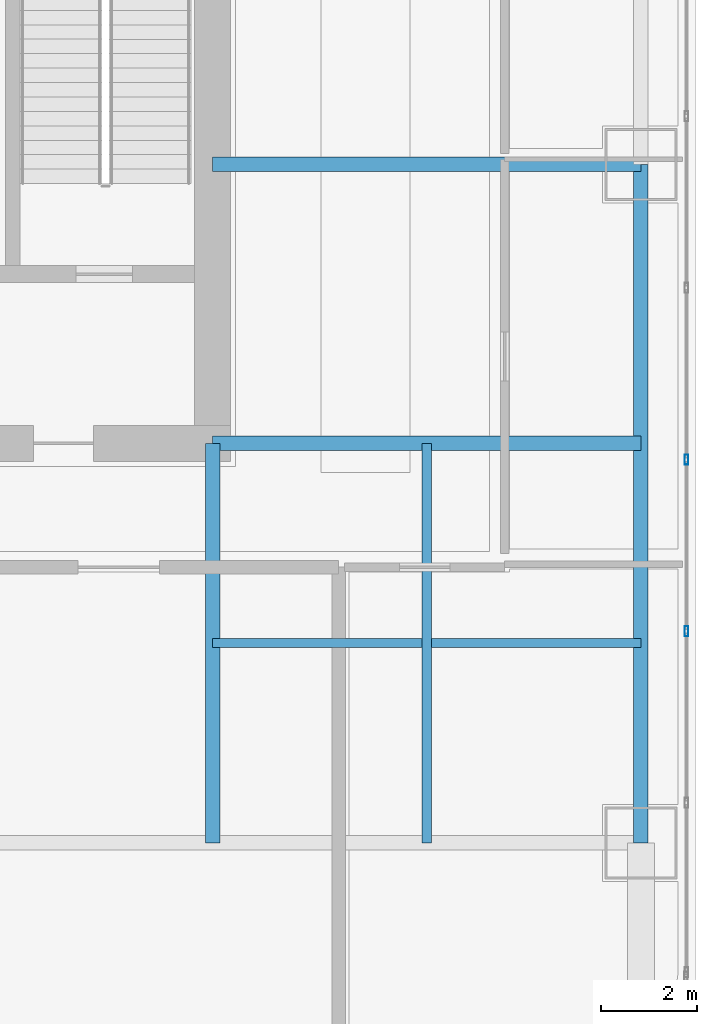
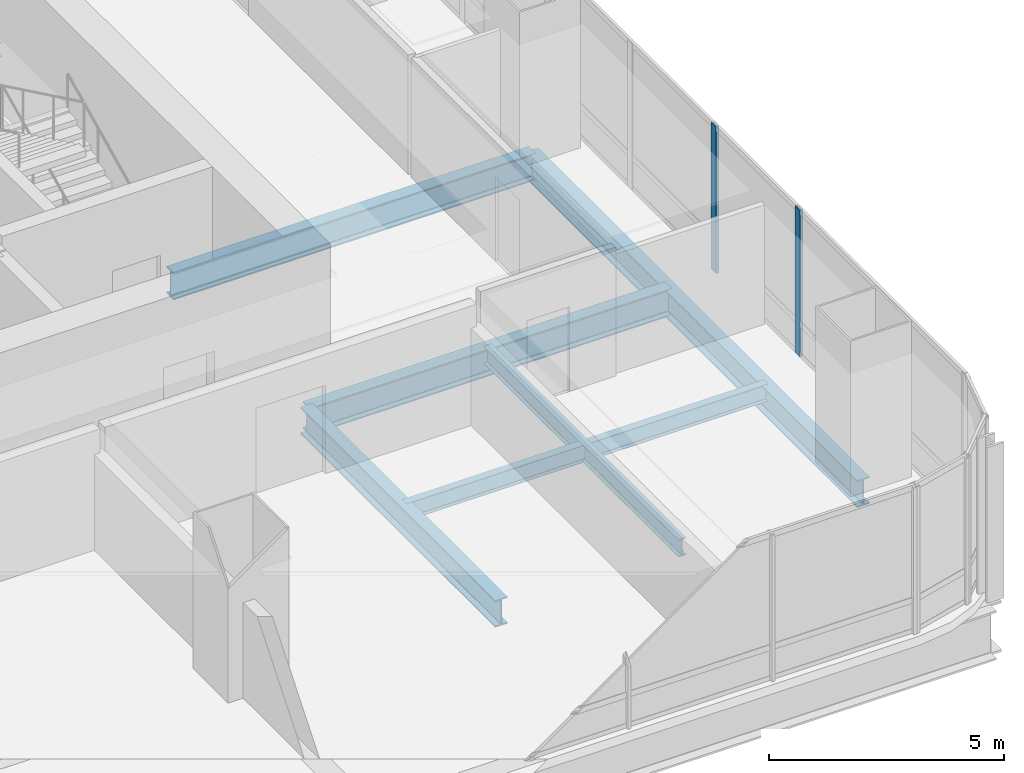
# One storey, part 14 of 36: 6 beams, 2 members, 1 element without a shape of its own.
"""IFC4 building model written with IfcOpenShell, lengths in metres."""

from ifc_helpers import new_model, si_unit, direction, frame, origin, origin_2d, place, context, subcontext, project, spatial, hollow_rectangle, i_section, extrude, material, material_profile, profile_set, type_object, element, aggregate, save


model = new_model("IFC4")

# Units and contexts
model_context = context("Model", 3, precision=1e-05, world=origin(), true_north=direction((0.0, 1.0)))
body_context = subcontext(model_context, "Body", "Model", "MODEL_VIEW")
ifc_project = project(units=[si_unit("LENGTHUNIT", "METRE"), si_unit("AREAUNIT", "SQUARE_METRE"), si_unit("VOLUMEUNIT", "CUBIC_METRE"), si_unit("PLANEANGLEUNIT", "RADIAN"), si_unit("MASSUNIT", "GRAM", prefix="KILO")], contexts=[model_context])

# Site, building, storey
site_placement = place(None, origin())
site = spatial("IfcSite", under=ifc_project, at=site_placement, CompositionType="ELEMENT")
building_placement = place(site_placement, origin())
building = spatial("IfcBuilding", under=site, at=building_placement, Name="Punatoya Terracotta Tower", CompositionType="ELEMENT")
storey_placement = place(building_placement, frame((0.0, 0.0, 48.449951171875)))
storey = spatial("IfcBuildingStorey", under=building, at=storey_placement, Name="L10", CompositionType="ELEMENT", Elevation=48.449951171875)

# Beams
ifc_material_1 = material(Name="Steel S355", Category="steel")
ifc_material_profile_1 = material_profile(ifc_material_1, i_section(OverallWidth=0.300048828125, OverallDepth=0.699951171875, WebThickness=0.01708984375, FlangeThickness=0.031982421875, FilletRadius=0.01806640625, at=origin_2d()))
ifc_profile_set_1 = profile_set([ifc_material_profile_1], Name="Steel S355")
beam_type_1 = type_object("IfcBeamType", Name="BM-PRI-700", PredefinedType="BEAM", material=ifc_profile_set_1)
beam_1_placement = place(storey_placement, frame((19.10009765625, -17.5, -0.58984375), z_axis=(0.0, 1.0, 0.0), x_axis=(-1.0, 0.0, 0.0)))
element("IfcBeam", 1, at=beam_1_placement, inside=storey, type_object=beam_type_1, Name="BM-L10-RG-E1", PredefinedType="BEAM", context=body_context, shape_type="SweptSolid", body=[
    extrude(i_section(OverallWidth=0.300048828125, OverallDepth=0.699951171875, WebThickness=0.01708984375, FlangeThickness=0.031982421875, FilletRadius=0.01806640625, at=origin_2d()), origin(), (0.0, 0.0, 1.0), 14.10009765625),
])
for number, where, z_axis, x_axis, name in (
    (2, (10.199951171875, -9.199951171875, -0.58984375), (1.0, 0.0, 0.0), (0.0, 1.0, 0.0), "BM-L10-PR-ES"),
    (3, (10.199951171875, -3.39990234375, -0.58984375), (1.0, 0.0, 0.0), (0.0, 1.0, 0.0), "BM-L10-PR-ED"),
):
    element("IfcBeam", number, at=place(storey_placement, frame(where, z_axis=z_axis, x_axis=x_axis)), inside=storey, type_object=beam_type_1, Name=name, PredefinedType="BEAM", context=body_context, shape_type="SweptSolid", body=[
        extrude(i_section(OverallWidth=0.300048828125, OverallDepth=0.699951171875, WebThickness=0.01708984375, FlangeThickness=0.031982421875, FilletRadius=0.01806640625, at=origin_2d()), origin(), (0.0, 0.0, 1.0), 8.900146484375),
    ])
beam_2_placement = place(storey_placement, frame((10.199951171875, -17.5, -0.58984375), z_axis=(0.0, 1.0, 0.0), x_axis=(-1.0, 0.0, 0.0)))
element("IfcBeam", 4, at=beam_2_placement, inside=storey, type_object=beam_type_1, Name="BM-L10-PR-S4", PredefinedType="BEAM", context=body_context, shape_type="SweptSolid", body=[
    extrude(i_section(OverallWidth=0.300048828125, OverallDepth=0.699951171875, WebThickness=0.01708984375, FlangeThickness=0.031982421875, FilletRadius=0.01806640625, at=origin_2d()), origin(), (0.0, 0.0, 1.0), 8.300048828125),
])
ifc_material_profile_2 = material_profile(ifc_material_1, i_section(OverallWidth=0.18994140625, OverallDepth=0.449951171875, WebThickness=0.009521484375, FlangeThickness=0.0146484375, FilletRadius=0.01806640625, at=origin_2d()))
ifc_profile_set_2 = profile_set([ifc_material_profile_2], Name="Steel S355")
beam_type_2 = type_object("IfcBeamType", Name="BM-SEC-450", PredefinedType="JOIST", material=ifc_profile_set_2)
beam_3_placement = place(storey_placement, frame((10.199951171875, -13.35009765625, -0.46484375), z_axis=(1.0, 0.0, 0.0), x_axis=(0.0, 1.0, 0.0)))
element("IfcBeam", 5, at=beam_3_placement, inside=storey, type_object=beam_type_2, Name="BM-L10-SJS-2", PredefinedType="JOIST", context=body_context, shape_type="SweptSolid", body=[
    extrude(i_section(OverallWidth=0.18994140625, OverallDepth=0.449951171875, WebThickness=0.009521484375, FlangeThickness=0.0146484375, FilletRadius=0.01806640625, at=origin_2d()), origin(), (0.0, 0.0, 1.0), 8.900146484375),
])
beam_4_placement = place(storey_placement, frame((14.64990234375, -17.5, -0.46484375), z_axis=(0.0, 1.0, 0.0), x_axis=(-1.0, 0.0, 0.0)))
element("IfcBeam", 6, at=beam_4_placement, inside=storey, type_object=beam_type_2, Name="BM-L10-SJE-1", PredefinedType="JOIST", context=body_context, shape_type="SweptSolid", body=[
    extrude(i_section(OverallWidth=0.18994140625, OverallDepth=0.449951171875, WebThickness=0.009521484375, FlangeThickness=0.0146484375, FilletRadius=0.01806640625, at=origin_2d()), origin(), (0.0, 0.0, 1.0), 8.300048828125),
])

# Curtain wall, members
ifc_material_2 = material(Name="Aluminium 6063-T6 + Double Low-E Glass", Category="aluminium")
curtain_wall_type = type_object("IfcCurtainWallType", Name="CW-M1", PredefinedType="NOTDEFINED", material=ifc_material_2)
curtain_wall_placement = place(storey_placement, origin())
curtain_wall = element("IfcCurtainWall", 7, at=curtain_wall_placement, inside=storey, type_object=curtain_wall_type, Name="L10 Curtain Wall CW-L10-E05-1", PredefinedType="NOTDEFINED")
ifc_material_3 = material(Name="Aluminium 6063-T6", Category="aluminium")
ifc_material_profile_3 = material_profile(ifc_material_3, hollow_rectangle(XDim=0.074951171875, YDim=0.2099609375, WallThickness=0.00439453125, at=origin_2d()))
ifc_profile_set_3 = profile_set([ifc_material_profile_3], Name="Aluminium 6063-T6")
member_type = type_object("IfcMemberType", Name="CW-MUL-M1", PredefinedType="MULLION", material=ifc_profile_set_3)
member_1_placement = place(storey_placement, frame((20.050048828125, -13.10205078125, 0.0), z_axis=(0.0, 0.0, 1.0), x_axis=(1.0, 0.0, 0.0)))
member_1 = element("IfcMember", 8, at=member_1_placement, type_object=member_type, Name="CW-L10-E05-1 Mullion 02", PredefinedType="MULLION", context=body_context, shape_type="SweptSolid", body=[
    extrude(hollow_rectangle(XDim=0.074951171875, YDim=0.2099609375, WallThickness=0.00439453125, at=origin_2d()), origin(), (0.0, 0.0, 1.0), 3.81005859375),
])
member_2_placement = place(storey_placement, frame((20.050048828125, -9.534912109375, 0.0), z_axis=(0.0, 0.0, 1.0), x_axis=(1.0, 0.0, 0.0)))
member_2 = element("IfcMember", 9, at=member_2_placement, type_object=member_type, Name="CW-L10-E05-1 Mullion 03", PredefinedType="MULLION", context=body_context, shape_type="SweptSolid", body=[
    extrude(hollow_rectangle(XDim=0.074951171875, YDim=0.2099609375, WallThickness=0.00439453125, at=origin_2d()), origin(), (0.0, 0.0, 1.0), 3.81005859375),
])
aggregate(curtain_wall, [member_1, member_2])

save(model, "model.ifc")
